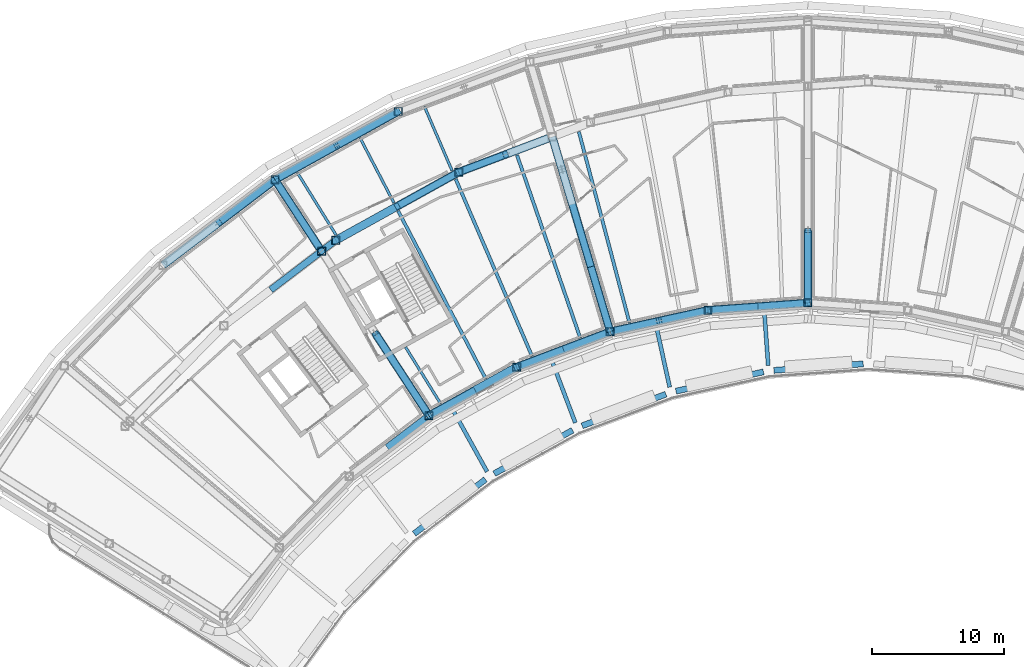
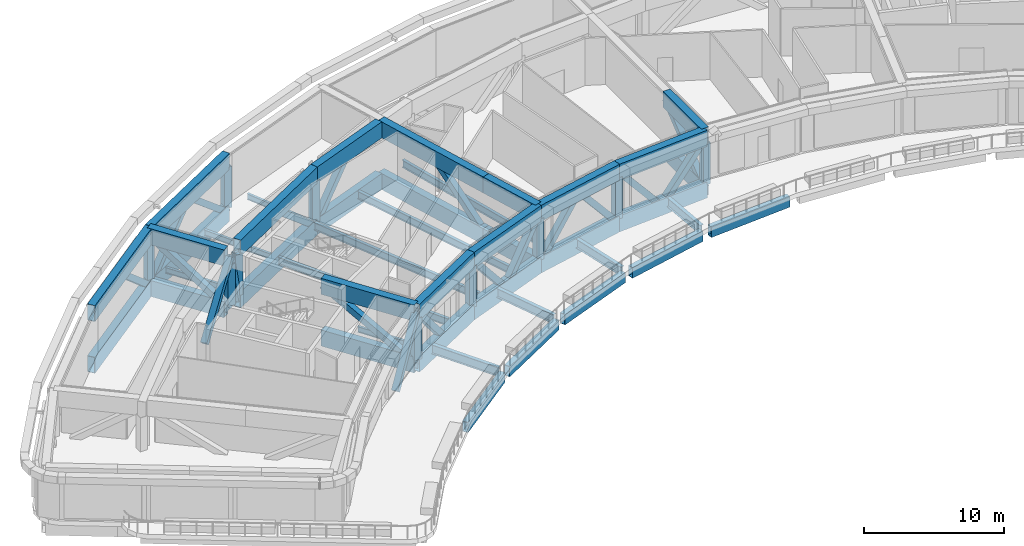
# One storey, part 2 of 24: 43 beams, 30 members.
"""IFC4 building model written with IfcOpenShell, lengths in metres."""

import ifcopenshell
import ifcopenshell.guid

model = None  # the IFC model being written
_history = None  # IfcOwnerHistory: only IFC2X3 demands one
_inside = {}  # id of a spatial element -> (the spatial element, [elements in it])
_under = {}  # id of a project, library or spatial element -> (it, [spatial elements below it])
_declared = {}  # id of a project -> (the project, [libraries it declares])
_typed = {}  # id of a type object -> (the type object, [elements of that type])
_made_of = {}  # id of a material, layer set ... -> (it, [elements and type objects made of it])


def new_model(schema):
    """Start an empty IFC model of exactly this schema.

    Asked for "IFC4X3", IfcOpenShell would pick the latest addendum, in which some entities
    have other attributes; the version numbers below select the first issue.
    IFC2X3 requires an IfcOwnerHistory on every rooted entity: one is made here for all.
    """
    global model, _history
    if schema == "IFC4X3":
        model = ifcopenshell.file(schema_version=(4, 3, 0, 0))
    else:
        model = ifcopenshell.file(schema=schema)
    _inside.clear()
    _under.clear()
    _declared.clear()
    _typed.clear()
    _made_of.clear()
    _history = None
    if model.schema == "IFC2X3":
        org = make("IfcOrganization", Name="unknown")
        user = make(
            "IfcPersonAndOrganization",
            ThePerson=make("IfcPerson", FamilyName="unknown"),
            TheOrganization=org,
        )
        app = make(
            "IfcApplication",
            ApplicationDeveloper=org,
            Version="unknown",
            ApplicationFullName="unknown",
            ApplicationIdentifier="unknown",
        )
        _history = make(
            "IfcOwnerHistory",
            OwningUser=user,
            OwningApplication=app,
            ChangeAction="ADDED",
            CreationDate=0,
        )
    return model


def make(cls, **values):
    """One entity of the class cls with the attributes given. An attribute that is None is left unset."""
    return model.create_entity(
        cls, **{name: value for name, value in values.items() if value is not None}
    )


def rooted(cls, **values):
    """An entity with a GlobalId (a new one), such as an element, a storey or a relation."""
    return make(cls, GlobalId=ifcopenshell.guid.new(), OwnerHistory=_history, **values)


def si_unit(unit_type, name, prefix=None):
    """IfcSIUnit, for example si_unit("LENGTHUNIT", "METRE", prefix="MILLI")."""
    return make("IfcSIUnit", UnitType=unit_type, Prefix=prefix, Name=name)


def assignment(units):
    """IfcUnitAssignment: the units of a project."""
    return None if units is None else make("IfcUnitAssignment", Units=units)


def point(xyz):
    """IfcCartesianPoint."""
    return None if xyz is None else make("IfcCartesianPoint", Coordinates=xyz)


def direction(xyz):
    """IfcDirection."""
    return None if xyz is None else make("IfcDirection", DirectionRatios=xyz)


def frame(location, z_axis=None, x_axis=None):
    """IfcAxis2Placement3D, a coordinate frame: its origin and axes. An axis left out is left unset."""
    return make(
        "IfcAxis2Placement3D",
        Location=point(location),
        Axis=direction(z_axis),
        RefDirection=direction(x_axis),
    )


def frame_2d(location, x_axis=None):
    """IfcAxis2Placement2D, a coordinate frame in the plane: its origin and x axis."""
    return make(
        "IfcAxis2Placement2D", Location=point(location), RefDirection=direction(x_axis)
    )


def origin():
    """The frame at (0, 0, 0) with its axes left unset."""
    return frame((0.0, 0.0, 0.0))


def origin_2d():
    """The frame at (0, 0) in the plane with its x axis left unset."""
    return frame_2d((0.0, 0.0))


def place(relative_to, where):
    """IfcLocalPlacement: puts the frame where relative to a parent placement (None: the world)."""
    return make(
        "IfcLocalPlacement", PlacementRelTo=relative_to, RelativePlacement=where
    )


def context(
    kind, dimensions, precision=None, world=None, true_north=None, identifier=None
):
    """IfcGeometricRepresentationContext, for example the 3D "Model" context."""
    return make(
        "IfcGeometricRepresentationContext",
        ContextIdentifier=identifier,
        ContextType=kind,
        CoordinateSpaceDimension=dimensions,
        Precision=precision,
        WorldCoordinateSystem=world,
        TrueNorth=true_north,
    )


def subcontext(parent, identifier, kind, view, scale=None):
    """IfcGeometricRepresentationSubContext, for example "Body" below "Model"."""
    return make(
        "IfcGeometricRepresentationSubContext",
        ContextIdentifier=identifier,
        ContextType=kind,
        ParentContext=parent,
        TargetScale=scale,
        TargetView=view,
    )


def project(units=None, contexts=None):
    """IfcProject with its units and contexts."""
    return rooted(
        "IfcProject",
        Name="project",
        RepresentationContexts=contexts,
        UnitsInContext=assignment(units),
    )


def spatial(cls, under=None, at=None, **own):
    """A site, building, storey or space (cls), placed at a placement, below another one or the project."""
    s = rooted(cls, ObjectPlacement=at, **own)
    if under is not None:
        _under.setdefault(under.id(), (under, []))[1].append(s)
    return s


def profile(cls, at=None, kind="AREA", **sizes):
    """A parametric profile (cls). Its sizes go by their IFC names, for example OverallWidth=200.0."""
    return make(cls, ProfileType=kind, Position=at, **sizes)


def hollow_rectangle(**sizes):
    """IfcRectangleHollowProfileDef."""
    return profile("IfcRectangleHollowProfileDef", **sizes)


def i_section(**sizes):
    """IfcIShapeProfileDef."""
    return profile("IfcIShapeProfileDef", **sizes)


def extrude(swept, where, along, depth):
    """IfcExtrudedAreaSolid: the profile swept, set in the frame where, extruded along a direction by depth."""
    return make(
        "IfcExtrudedAreaSolid",
        SweptArea=swept,
        Position=where,
        ExtrudedDirection=direction(along),
        Depth=depth,
    )


def shape(context_of_items, identifier, shape_type, items):
    """IfcShapeRepresentation: the items that make up one representation, for example the "Body"."""
    return make(
        "IfcShapeRepresentation",
        ContextOfItems=context_of_items,
        RepresentationIdentifier=identifier,
        RepresentationType=shape_type,
        Items=items,
    )


def material(Name=None, Category=None):
    """IfcMaterial."""
    return make("IfcMaterial", Name=Name, Category=Category)


def material_profile(
    of_material, cross_section, Name=None, Category=None, Priority=None
):
    """IfcMaterialProfile: a cross section and its material."""
    return make(
        "IfcMaterialProfile",
        Name=Name,
        Material=of_material,
        Profile=cross_section,
        Priority=Priority,
        Category=Category,
    )


def profile_set(profiles, Name=None, composite=None):
    """IfcMaterialProfileSet."""
    return make(
        "IfcMaterialProfileSet",
        Name=Name,
        MaterialProfiles=profiles,
        CompositeProfile=composite,
    )


def made_of(thing, what):
    """Note that an element or type object is made of a material, layer set ...; save() writes the relation."""
    if what is not None:
        _made_of.setdefault(what.id(), (what, []))[1].append(thing)
    return thing


def type_object(cls, material=None, **own):
    """A type object (cls), such as IfcWallType, which elements share."""
    return made_of(rooted(cls, **own), material)


def element(
    cls,
    number,
    at=None,
    inside=None,
    cuts=None,
    type_object=None,
    material=None,
    context=None,
    identifier="Body",
    shape_type=None,
    held_by="IfcProductDefinitionShape",
    body=None,
    shapes=None,
    **own,
):
    """One element of the class cls, such as IfcWall. Its Tag is "e" and its number.

    at: its placement. inside: the storey or other place that contains it. cuts: it is an
    opening in that element (IfcRelVoidsElement). A single representation is given by context,
    identifier, shape_type and body (its items); several are given by shapes. held_by: the class
    of the entity that holds the representations. save() writes the other relations.
    """
    e = rooted(cls, Tag="e%d" % number, ObjectPlacement=at, **own)
    if body is not None:
        shapes = [shape(context, identifier, shape_type, body)]
    if shapes is not None:
        e.Representation = make(held_by, Representations=shapes)
    if inside is not None:
        _inside.setdefault(inside.id(), (inside, []))[1].append(e)
    if cuts is not None:
        rooted(
            "IfcRelVoidsElement", RelatingBuildingElement=cuts, RelatedOpeningElement=e
        )
    if type_object is not None:
        _typed.setdefault(type_object.id(), (type_object, []))[1].append(e)
    return made_of(e, material)


def aggregate(whole, parts):
    """IfcRelAggregates: a whole, such as a stair, and the parts it consists of."""
    return rooted("IfcRelAggregates", RelatingObject=whole, RelatedObjects=parts)


def save(model, path):
    """Write the relations noted so far, then the file.

    IfcRelAggregates (storeys below a building ...), IfcRelContainedInSpatialStructure (elements
    in a storey), IfcRelDefinesByType, IfcRelAssociatesMaterial and IfcRelDeclares: one each for
    every whole, place, type object, material and project.
    """
    for whole, parts in _under.values():
        aggregate(whole, parts)
    for where, things in _inside.values():
        rooted(
            "IfcRelContainedInSpatialStructure",
            RelatedElements=things,
            RelatingStructure=where,
        )
    for kind, things in _typed.values():
        rooted("IfcRelDefinesByType", RelatedObjects=things, RelatingType=kind)
    for what, things in _made_of.values():
        rooted("IfcRelAssociatesMaterial", RelatedObjects=things, RelatingMaterial=what)
    for by, libraries in _declared.values():
        rooted("IfcRelDeclares", RelatingContext=by, RelatedDefinitions=libraries)
    model.write(path)


model = new_model("IFC4")

# Units and contexts
model_context = context("Model", 3, precision=1e-05, world=origin(), true_north=direction((0.0, 1.0)))
body_context = subcontext(model_context, "Body", "Model", "MODEL_VIEW")
ifc_project = project(units=[si_unit("LENGTHUNIT", "METRE"), si_unit("AREAUNIT", "SQUARE_METRE"), si_unit("VOLUMEUNIT", "CUBIC_METRE"), si_unit("PLANEANGLEUNIT", "RADIAN"), si_unit("MASSUNIT", "GRAM", prefix="KILO")], contexts=[model_context])

# Site, building, storey
site_placement = place(None, origin())
site = spatial("IfcSite", under=ifc_project, at=site_placement, CompositionType="ELEMENT")
building_placement = place(site_placement, origin())
building = spatial("IfcBuilding", under=site, at=building_placement, Name="Tuul Gate Civic Tower", CompositionType="ELEMENT")
storey_placement = place(building_placement, frame((0.0, 0.0, 315.199951171875)))
storey = spatial("IfcBuildingStorey", under=building, at=storey_placement, Name="Plant and refuge floor 7", CompositionType="ELEMENT", Elevation=315.199951171875)

# Beams
ifc_material_1 = material(Name="Steel S355", Category="steel")
ifc_material_profile_1 = material_profile(ifc_material_1, i_section(OverallWidth=0.199951171875, OverallDepth=0.5, WebThickness=0.010009765625, FlangeThickness=0.01611328125, at=origin_2d()), Name="PG500x200x10x16")
ifc_profile_set_1 = profile_set([ifc_material_profile_1], Name="Steel S355")
beam_type_1 = type_object("IfcBeamType", Name="STR-FLOOR BEAM-PG500x200x10x16", PredefinedType="BEAM", material=ifc_profile_set_1)
beam_1_placement = place(storey_placement, frame((-24.785888671875, 2.50244140625, -0.64990234375), z_axis=(-0.395923277971, 0.918283593429, 0.0), x_axis=(-0.918283593429, -0.395923277971, 0.0)))
element("IfcBeam", 1, at=beam_1_placement, inside=storey, type_object=beam_type_1, Name="Floor beam", PredefinedType="BEAM", context=body_context, shape_type="SweptSolid", body=[
    extrude(i_section(OverallWidth=0.199951171875, OverallDepth=0.5, WebThickness=0.010009765625, FlangeThickness=0.01611328125, at=origin_2d()), origin(), (0.0, 0.0, 1.0), 5.290771484375),
])
beam_2_placement = place(storey_placement, frame((-29.194091796875, 0.05908203125, -0.64990234375), z_axis=(-0.462752405696, 0.886487569581, 0.0), x_axis=(-0.886487569581, -0.462752405696, 0.0)))
element("IfcBeam", 2, at=beam_2_placement, inside=storey, type_object=beam_type_1, Name="Floor beam", PredefinedType="BEAM", context=body_context, shape_type="SweptSolid", body=[
    extrude(i_section(OverallWidth=0.199951171875, OverallDepth=0.5, WebThickness=0.010009765625, FlangeThickness=0.01611328125, at=origin_2d()), origin(), (0.0, 0.0, 1.0), 5.55029296875),
])
beam_3_placement = place(storey_placement, frame((-25.644287109375, -15.18212890625, -0.64990234375), z_axis=(-0.52700728399, 0.849860766609, 0.0), x_axis=(-0.849860766609, -0.52700728399, 0.0)))
element("IfcBeam", 3, at=beam_3_placement, inside=storey, type_object=beam_type_1, Name="Floor beam", PredefinedType="BEAM", context=body_context, shape_type="SweptSolid", body=[
    extrude(i_section(OverallWidth=0.199951171875, OverallDepth=0.5, WebThickness=0.010009765625, FlangeThickness=0.01611328125, at=origin_2d()), origin(), (0.0, 0.0, 1.0), 5.059814453125),
])
beam_4_placement = place(storey_placement, frame((-33.586181640625, -2.375244140625, -0.64990234375), z_axis=(-0.52699300541, 0.849869620735, 0.0), x_axis=(-0.849869620735, -0.52699300541, 0.0)))
element("IfcBeam", 4, at=beam_4_placement, inside=storey, type_object=beam_type_1, Name="Floor beam", PredefinedType="BEAM", context=body_context, shape_type="SweptSolid", body=[
    extrude(i_section(OverallWidth=0.199951171875, OverallDepth=0.5, WebThickness=0.010009765625, FlangeThickness=0.01611328125, at=origin_2d()), origin(), (0.0, 0.0, 1.0), 5.5546875),
])
ifc_material_2 = material(Name="Steel S355", Category="steel")
ifc_material_profile_2 = material_profile(ifc_material_2, i_section(OverallWidth=0.25, OverallDepth=0.64990234375, WebThickness=0.011962890625, FlangeThickness=0.02001953125, at=origin_2d()), Name="PG650x250x12x20")
ifc_profile_set_2 = profile_set([ifc_material_profile_2], Name="Steel S355")
beam_type_2 = type_object("IfcBeamType", Name="STR-FLOOR BEAM-PG650x250x12x20", PredefinedType="BEAM", material=ifc_profile_set_2)
beam_5_placement = place(storey_placement, frame((-11.33349609375, -9.030029296875, -0.724853515625), z_axis=(-0.256141110545, 0.96663940096, 0.0), x_axis=(-0.96663940096, -0.256141110545, 0.0)))
element("IfcBeam", 5, at=beam_5_placement, inside=storey, type_object=beam_type_2, Name="Floor beam", PredefinedType="BEAM", context=body_context, shape_type="SweptSolid", body=[
    extrude(i_section(OverallWidth=0.25, OverallDepth=0.64990234375, WebThickness=0.011962890625, FlangeThickness=0.02001953125, at=origin_2d()), origin(), (0.0, 0.0, 1.0), 14.9833984375),
])
beam_6_placement = place(storey_placement, frame((-15.062255859375, -10.19384765625, -0.724853515625), z_axis=(-0.326928924107, 0.9450489292, 0.0), x_axis=(-0.9450489292, -0.326928924107, 0.0)))
element("IfcBeam", 6, at=beam_6_placement, inside=storey, type_object=beam_type_2, Name="Floor beam", PredefinedType="BEAM", context=body_context, shape_type="SweptSolid", body=[
    extrude(i_section(OverallWidth=0.25, OverallDepth=0.64990234375, WebThickness=0.011962890625, FlangeThickness=0.02001953125, at=origin_2d()), origin(), (0.0, 0.0, 1.0), 14.6806640625),
])
beam_7_placement = place(storey_placement, frame((-18.716064453125, -11.575927734375, -0.724853515625), z_axis=(-0.395912584473, 0.918288203918, 0.0), x_axis=(-0.918288203918, -0.395912584473, 0.0)))
element("IfcBeam", 7, at=beam_7_placement, inside=storey, type_object=beam_type_2, Name="Floor beam", PredefinedType="BEAM", context=body_context, shape_type="SweptSolid", body=[
    extrude(i_section(OverallWidth=0.25, OverallDepth=0.64990234375, WebThickness=0.011962890625, FlangeThickness=0.02001953125, at=origin_2d()), origin(), (0.0, 0.0, 1.0), 14.627685546875),
])
beam_8_placement = place(storey_placement, frame((-22.22705078125, -13.288330078125, -0.724853515625), z_axis=(-0.462736868043, 0.886495680167, 0.0), x_axis=(-0.886495680167, -0.462736868043, 0.0)))
element("IfcBeam", 8, at=beam_8_placement, inside=storey, type_object=beam_type_2, Name="Floor beam", PredefinedType="BEAM", context=body_context, shape_type="SweptSolid", body=[
    extrude(i_section(OverallWidth=0.25, OverallDepth=0.64990234375, WebThickness=0.011962890625, FlangeThickness=0.02001953125, at=origin_2d()), origin(), (0.0, 0.0, 1.0), 14.35595703125),
])
ifc_material_3 = material(Name="Steel S355", Category="steel")
ifc_material_profile_3 = material_profile(ifc_material_3, i_section(OverallWidth=0.300048828125, OverallDepth=0.800048828125, WebThickness=0.013916015625, FlangeThickness=0.02490234375, at=origin_2d()), Name="PG800x300x14x25")
ifc_profile_set_3 = profile_set([ifc_material_profile_3], Name="Steel S355")
beam_type_3 = type_object("IfcBeamType", Name="STR-FLOOR BEAM-PG800x300x14x25", PredefinedType="BEAM", material=ifc_profile_set_3)
beam_9_placement = place(storey_placement, frame((-22.1318359375, -20.322021484375, -0.800048828125), z_axis=(-0.484775925534, 0.874638383575, 0.0), x_axis=(-0.874638383575, -0.484775925534, 0.0)))
element("IfcBeam", 9, at=beam_9_placement, inside=storey, type_object=beam_type_3, Name="Terrace beam", PredefinedType="BEAM", context=body_context, shape_type="SweptSolid", body=[
    extrude(i_section(OverallWidth=0.300048828125, OverallDepth=0.800048828125, WebThickness=0.013916015625, FlangeThickness=0.02490234375, at=origin_2d()), origin(), (0.0, 0.0, 1.0), 5.54833984375),
])
beam_10_placement = place(storey_placement, frame((-15.439453125, -16.617919921875, -0.800048828125), z_axis=(-0.353794885492, 0.935323034571, 0.0), x_axis=(-0.935323034571, -0.353794885492, 0.0)))
element("IfcBeam", 10, at=beam_10_placement, inside=storey, type_object=beam_type_3, Name="Terrace beam", PredefinedType="BEAM", context=body_context, shape_type="SweptSolid", body=[
    extrude(i_section(OverallWidth=0.300048828125, OverallDepth=0.800048828125, WebThickness=0.013916015625, FlangeThickness=0.02490234375, at=origin_2d()), origin(), (0.0, 0.0, 1.0), 5.22509765625),
])
beam_11_placement = place(storey_placement, frame((-8.283935546875, -13.916259765625, -0.800048828125), z_axis=(-0.215123016724, 0.976586958584, 0.0), x_axis=(-0.976586958584, -0.215123016724, 0.0)))
element("IfcBeam", 11, at=beam_11_placement, inside=storey, type_object=beam_type_3, Name="Terrace beam", PredefinedType="BEAM", context=body_context, shape_type="SweptSolid", body=[
    extrude(i_section(OverallWidth=0.300048828125, OverallDepth=0.800048828125, WebThickness=0.013916015625, FlangeThickness=0.02490234375, at=origin_2d()), origin(), (0.0, 0.0, 1.0), 4.77783203125),
])
beam_12_placement = place(storey_placement, frame((-0.81298828125, -12.27392578125, -0.800048828125), z_axis=(-0.072325185756, 0.997381104446, 0.0), x_axis=(-0.997381104446, -0.072325185756, 0.0)))
element("IfcBeam", 12, at=beam_12_placement, inside=storey, type_object=beam_type_3, Name="Terrace beam", PredefinedType="BEAM", context=body_context, shape_type="SweptSolid", body=[
    extrude(i_section(OverallWidth=0.300048828125, OverallDepth=0.800048828125, WebThickness=0.013916015625, FlangeThickness=0.02490234375, at=origin_2d()), origin(), (0.0, 0.0, 1.0), 4.216064453125),
])
ifc_material_4 = material(Name="Steel S355", Category="steel")
ifc_material_profile_4 = material_profile(ifc_material_4, hollow_rectangle(XDim=0.449951171875, YDim=0.89990234375, WallThickness=0.02490234375, at=origin_2d()), Name="BOX900x450x25")
ifc_profile_set_4 = profile_set([ifc_material_profile_4], Name="Steel S355")
beam_type_4 = type_object("IfcBeamType", Name="STR-SPANDREL BEAM-BOX900x450x25", PredefinedType="BEAM", material=ifc_profile_set_4)
beam_13_placement = place(storey_placement, frame((-27.66064453125, -25.02880859375, -0.849853515625), z_axis=(0.795648671747, 0.605758360361, 0.0), x_axis=(-0.605758360361, 0.795648671747, 0.0)))
element("IfcBeam", 13, at=beam_13_placement, inside=storey, type_object=beam_type_4, Name="Terrace edge beam", PredefinedType="BEAM", context=body_context, shape_type="SweptSolid", body=[
    extrude(hollow_rectangle(XDim=0.449951171875, YDim=0.89990234375, WallThickness=0.02490234375, at=origin_2d()), origin(), (0.0, 0.0, 1.0), 6.792236328125),
])
beam_14_placement = place(storey_placement, frame((-21.588134765625, -20.47802734375, -0.849853515625), z_axis=(0.87464856826, 0.484757549751, 0.0), x_axis=(-0.484757549751, 0.87464856826, 0.0)))
element("IfcBeam", 14, at=beam_14_placement, inside=storey, type_object=beam_type_4, Name="Terrace edge beam", PredefinedType="BEAM", context=body_context, shape_type="SweptSolid", body=[
    extrude(hollow_rectangle(XDim=0.449951171875, YDim=0.89990234375, WallThickness=0.02490234375, at=origin_2d()), origin(), (0.0, 0.0, 1.0), 6.79150390625),
])
beam_15_placement = place(storey_placement, frame((-14.923828125, -16.8505859375, -0.849853515625), z_axis=(0.935348956807, 0.35372634762, 0.0), x_axis=(-0.35372634762, 0.935348956807, 0.0)))
element("IfcBeam", 15, at=beam_15_placement, inside=storey, type_object=beam_type_4, Name="Terrace edge beam", PredefinedType="BEAM", context=body_context, shape_type="SweptSolid", body=[
    extrude(hollow_rectangle(XDim=0.449951171875, YDim=0.89990234375, WallThickness=0.02490234375, at=origin_2d()), origin(), (0.0, 0.0, 1.0), 6.790771484375),
])
for number, where, z_axis, x_axis, name in (
    (16, (-7.807373046875, -14.220947265625, -0.849853515625), (0.976561119915, 0.215240282172, 0.0), (-0.215240282172, 0.976561119915, 0.0), "Terrace edge beam"),
    (17, (-0.385009765625, -12.64404296875, -0.849853515625), (0.997381302407, 0.072322455777, 0.0), (-0.072322455777, 0.997381302407, 0.0), "Terrace edge beam"),
):
    element("IfcBeam", number, at=place(storey_placement, frame(where, z_axis=z_axis, x_axis=x_axis)), inside=storey, type_object=beam_type_4, Name=name, PredefinedType="BEAM", context=body_context, shape_type="SweptSolid", body=[
        extrude(hollow_rectangle(XDim=0.449951171875, YDim=0.89990234375, WallThickness=0.02490234375, at=origin_2d()), origin(), (0.0, 0.0, 1.0), 6.7919921875),
    ])
ifc_material_5 = material(Name="Steel S460", Category="steel")
ifc_material_profile_5 = material_profile(ifc_material_5, hollow_rectangle(XDim=0.60009765625, YDim=1.39990234375, WallThickness=0.031982421875, at=origin_2d()), Name="BOX1400x600x32")
ifc_profile_set_5 = profile_set([ifc_material_profile_5], Name="Steel S460")
beam_type_5 = type_object("IfcBeamType", Name="STR-TRANSFER TRUSS CHORD-BOX1400x600x32", PredefinedType="BEAM", material=ifc_profile_set_5)
for number, where, z_axis, x_axis, name in (
    (18, (2.19189453125, -2.052490234375, -1.099853515625), (0.0, -1.0, 0.0), (1.0, 0.0, 0.0), "Radial truss bottom chord"),
    (19, (2.19189453125, -2.052490234375, 3.400146484375), (0.0, -1.0, 0.0), (1.0, 0.0, 0.0), "Radial truss top chord"),
):
    element("IfcBeam", number, at=place(storey_placement, frame(where, z_axis=z_axis, x_axis=x_axis)), inside=storey, type_object=beam_type_5, Name=name, PredefinedType="BEAM", context=body_context, shape_type="SweptSolid", body=[
        extrude(hollow_rectangle(XDim=0.60009765625, YDim=1.39990234375, WallThickness=0.031982421875, at=origin_2d()), origin(), (0.0, 0.0, 1.0), 5.4755859375),
    ])
beam_16_placement = place(storey_placement, frame((-17.190673828125, 5.064453125, -1.099853515625), z_axis=(0.285228652891, -0.958459501268, 0.0), x_axis=(0.958459501268, 0.285228652891, 0.0)))
element("IfcBeam", 20, at=beam_16_placement, inside=storey, type_object=beam_type_5, Name="Radial truss bottom chord", PredefinedType="BEAM", context=body_context, shape_type="SweptSolid", body=[
    extrude(hollow_rectangle(XDim=0.60009765625, YDim=1.39990234375, WallThickness=0.031982421875, at=origin_2d()), origin(), (0.0, 0.0, 1.0), 10.276611328125),
])
beam_17_placement = place(storey_placement, frame((-14.259521484375, -4.78515625, -1.099853515625), z_axis=(0.285228652891, -0.958459501268, 0.0), x_axis=(0.958459501268, 0.285228652891, 0.0)))
element("IfcBeam", 21, at=beam_17_placement, inside=storey, type_object=beam_type_5, Name="Radial truss bottom chord", PredefinedType="BEAM", context=body_context, shape_type="SweptSolid", body=[
    extrude(hollow_rectangle(XDim=0.60009765625, YDim=1.39990234375, WallThickness=0.031982421875, at=origin_2d()), origin(), (0.0, 0.0, 1.0), 5.13818359375),
])
beam_18_placement = place(storey_placement, frame((-17.190673828125, 5.064453125, 3.400146484375), z_axis=(0.285228652891, -0.958459501268, 0.0), x_axis=(0.958459501268, 0.285228652891, 0.0)))
element("IfcBeam", 22, at=beam_18_placement, inside=storey, type_object=beam_type_5, Name="Radial truss top chord", PredefinedType="BEAM", context=body_context, shape_type="SweptSolid", body=[
    extrude(hollow_rectangle(XDim=0.60009765625, YDim=1.39990234375, WallThickness=0.031982421875, at=origin_2d()), origin(), (0.0, 0.0, 1.0), 10.276611328125),
])
beam_19_placement = place(storey_placement, frame((-14.259521484375, -4.78515625, 3.400146484375), z_axis=(0.285228652891, -0.958459501268, 0.0), x_axis=(0.958459501268, 0.285228652891, 0.0)))
element("IfcBeam", 23, at=beam_19_placement, inside=storey, type_object=beam_type_5, Name="Radial truss top chord", PredefinedType="BEAM", context=body_context, shape_type="SweptSolid", body=[
    extrude(hollow_rectangle(XDim=0.60009765625, YDim=1.39990234375, WallThickness=0.031982421875, at=origin_2d()), origin(), (0.0, 0.0, 1.0), 5.13818359375),
])
beam_20_placement = place(storey_placement, frame((-38.2099609375, 1.804931640625, -1.099853515625), z_axis=(0.546704369384, -0.837325702757, 0.0), x_axis=(0.837325702757, 0.546704369384, 0.0)))
element("IfcBeam", 24, at=beam_20_placement, inside=storey, type_object=beam_type_5, Name="Radial truss bottom chord", PredefinedType="BEAM", context=body_context, shape_type="SweptSolid", body=[
    extrude(hollow_rectangle(XDim=0.60009765625, YDim=1.39990234375, WallThickness=0.031982421875, at=origin_2d()), origin(), (0.0, 0.0, 1.0), 6.15673828125),
])
beam_21_placement = place(storey_placement, frame((-30.607177734375, -9.839111328125, -1.099853515625), z_axis=(0.546717622498, -0.83731704942, 0.0), x_axis=(0.83731704942, 0.546717622498, 0.0)))
element("IfcBeam", 25, at=beam_21_placement, inside=storey, type_object=beam_type_5, Name="Radial truss bottom chord", PredefinedType="BEAM", context=body_context, shape_type="SweptSolid", body=[
    extrude(hollow_rectangle(XDim=0.60009765625, YDim=1.39990234375, WallThickness=0.031982421875, at=origin_2d()), origin(), (0.0, 0.0, 1.0), 7.448486328125),
])
beam_22_placement = place(storey_placement, frame((-38.2099609375, 1.804931640625, 3.400146484375), z_axis=(0.546704369384, -0.837325702757, 0.0), x_axis=(0.837325702757, 0.546704369384, 0.0)))
element("IfcBeam", 26, at=beam_22_placement, inside=storey, type_object=beam_type_5, Name="Radial truss top chord", PredefinedType="BEAM", context=body_context, shape_type="SweptSolid", body=[
    extrude(hollow_rectangle(XDim=0.60009765625, YDim=1.39990234375, WallThickness=0.031982421875, at=origin_2d()), origin(), (0.0, 0.0, 1.0), 6.15673828125),
])
beam_23_placement = place(storey_placement, frame((-30.607177734375, -9.839111328125, 3.400146484375), z_axis=(0.546717622498, -0.83731704942, 0.0), x_axis=(0.83731704942, 0.546717622498, 0.0)))
element("IfcBeam", 27, at=beam_23_placement, inside=storey, type_object=beam_type_5, Name="Radial truss top chord", PredefinedType="BEAM", context=body_context, shape_type="SweptSolid", body=[
    extrude(hollow_rectangle(XDim=0.60009765625, YDim=1.39990234375, WallThickness=0.031982421875, at=origin_2d()), origin(), (0.0, 0.0, 1.0), 7.448486328125),
])
for number, where, z_axis, x_axis, name in (
    (28, (-17.471923828125, 4.9580078125, -1.099853515625), (-0.935353194144, -0.353715142742, 0.0), (0.353715142742, -0.935353194144, 0.0), "Belt truss bottom chord"),
    (29, (-17.471923828125, 4.9580078125, 3.400146484375), (-0.935353194144, -0.353715142742, 0.0), (0.353715142742, -0.935353194144, 0.0), "Belt truss top chord"),
):
    element("IfcBeam", number, at=place(storey_placement, frame(where, z_axis=z_axis, x_axis=x_axis)), inside=storey, type_object=beam_type_5, Name=name, PredefinedType="BEAM", context=body_context, shape_type="SweptSolid", body=[
        extrude(hollow_rectangle(XDim=0.60009765625, YDim=1.39990234375, WallThickness=0.031982421875, at=origin_2d()), origin(), (0.0, 0.0, 1.0), 7.274169921875),
    ])
for number, where, z_axis, x_axis, name in (
    (30, (-38.2099609375, 1.804931640625, -1.099853515625), (-0.795666270383, -0.605735244289, 0.0), (0.605735244289, -0.795666270383, 0.0), "Belt truss bottom chord"),
    (31, (-38.2099609375, 1.804931640625, 3.400146484375), (-0.795666270383, -0.605735244289, 0.0), (0.605735244289, -0.795666270383, 0.0), "Belt truss top chord"),
):
    element("IfcBeam", number, at=place(storey_placement, frame(where, z_axis=z_axis, x_axis=x_axis)), inside=storey, type_object=beam_type_5, Name=name, PredefinedType="BEAM", context=body_context, shape_type="SweptSolid", body=[
        extrude(hollow_rectangle(XDim=0.60009765625, YDim=1.39990234375, WallThickness=0.031982421875, at=origin_2d()), origin(), (0.0, 0.0, 1.0), 10.677978515625),
    ])
for number, where, z_axis, x_axis, name in (
    (32, (-28.8720703125, 6.98193359375, -1.099853515625), (-0.874582982831, -0.484875866736, 0.0), (0.484875866736, -0.874582982831, 0.0), "Belt truss bottom chord"),
    (33, (-28.8720703125, 6.98193359375, 3.400146484375), (-0.874582982831, -0.484875866736, 0.0), (0.484875866736, -0.874582982831, 0.0), "Belt truss top chord"),
):
    element("IfcBeam", number, at=place(storey_placement, frame(where, z_axis=z_axis, x_axis=x_axis)), inside=storey, type_object=beam_type_5, Name=name, PredefinedType="BEAM", context=body_context, shape_type="SweptSolid", body=[
        extrude(hollow_rectangle(XDim=0.60009765625, YDim=1.39990234375, WallThickness=0.031982421875, at=origin_2d()), origin(), (0.0, 0.0, 1.0), 10.677001953125),
    ])
for number, where, z_axis, x_axis, name in (
    (34, (-24.27587890625, 2.385009765625, -1.099853515625), (-0.874627142999, -0.484796205358, 0.0), (0.484796205358, -0.874627142999, 0.0), "Belt truss bottom chord"),
    (35, (-24.27587890625, 2.385009765625, 3.400146484375), (-0.874627142999, -0.484796205358, 0.0), (0.484796205358, -0.874627142999, 0.0), "Belt truss top chord"),
):
    element("IfcBeam", number, at=place(storey_placement, frame(where, z_axis=z_axis, x_axis=x_axis)), inside=storey, type_object=beam_type_5, Name=name, PredefinedType="BEAM", context=body_context, shape_type="SweptSolid", body=[
        extrude(hollow_rectangle(XDim=0.60009765625, YDim=1.39990234375, WallThickness=0.031982421875, at=origin_2d()), origin(), (0.0, 0.0, 1.0), 10.6767578125),
    ])
for number, where, z_axis, x_axis, name in (
    (36, (-19.89501953125, -12.39599609375, -1.099853515625), (0.935323649079, 0.353793260922, 0.0), (-0.353793260922, 0.935323649079, 0.0), "Belt truss bottom chord"),
    (37, (-19.89501953125, -12.39599609375, 3.400146484375), (0.935323649079, 0.353793260922, 0.0), (-0.353793260922, 0.935323649079, 0.0), "Belt truss top chord"),
):
    element("IfcBeam", number, at=place(storey_placement, frame(where, z_axis=z_axis, x_axis=x_axis)), inside=storey, type_object=beam_type_5, Name=name, PredefinedType="BEAM", context=body_context, shape_type="SweptSolid", body=[
        extrude(hollow_rectangle(XDim=0.60009765625, YDim=1.39990234375, WallThickness=0.031982421875, at=origin_2d()), origin(), (0.0, 0.0, 1.0), 7.592041015625),
    ])
for number, where, z_axis, x_axis, name in (
    (38, (-5.3798828125, -8.076904296875, -1.099853515625), (0.997383384715, 0.072293733438, 0.0), (-0.072293733438, 0.997383384715, 0.0), "Belt truss bottom chord"),
    (39, (-5.3798828125, -8.076904296875, 3.400146484375), (0.997383384715, 0.072293733438, 0.0), (-0.072293733438, 0.997383384715, 0.0), "Belt truss top chord"),
):
    element("IfcBeam", number, at=place(storey_placement, frame(where, z_axis=z_axis, x_axis=x_axis)), inside=storey, type_object=beam_type_5, Name=name, PredefinedType="BEAM", context=body_context, shape_type="SweptSolid", body=[
        extrude(hollow_rectangle(XDim=0.60009765625, YDim=1.39990234375, WallThickness=0.031982421875, at=origin_2d()), origin(), (0.0, 0.0, 1.0), 7.591552734375),
    ])
for number, where, z_axis, x_axis, name in (
    (40, (-12.7939453125, -9.7099609375, -1.099853515625), (0.976590179554, 0.215108394067, 0.0), (-0.215108394067, 0.976590179554, 0.0), "Belt truss bottom chord"),
    (41, (-12.7939453125, -9.7099609375, 3.400146484375), (0.976590179554, 0.215108394067, 0.0), (-0.215108394067, 0.976590179554, 0.0), "Belt truss top chord"),
):
    element("IfcBeam", number, at=place(storey_placement, frame(where, z_axis=z_axis, x_axis=x_axis)), inside=storey, type_object=beam_type_5, Name=name, PredefinedType="BEAM", context=body_context, shape_type="SweptSolid", body=[
        extrude(hollow_rectangle(XDim=0.60009765625, YDim=1.39990234375, WallThickness=0.031982421875, at=origin_2d()), origin(), (0.0, 0.0, 1.0), 7.591796875),
    ])
for number, where, z_axis, x_axis, name in (
    (42, (-26.534912109375, -16.075927734375, -1.099853515625), (0.874654386478, 0.484747051785, 0.0), (-0.484747051785, 0.874654386478, 0.0), "Belt truss bottom chord"),
    (43, (-26.534912109375, -16.075927734375, 3.400146484375), (0.874654386478, 0.484747051785, 0.0), (-0.484747051785, 0.874654386478, 0.0), "Belt truss top chord"),
):
    element("IfcBeam", number, at=place(storey_placement, frame(where, z_axis=z_axis, x_axis=x_axis)), inside=storey, type_object=beam_type_5, Name=name, PredefinedType="BEAM", context=body_context, shape_type="SweptSolid", body=[
        extrude(hollow_rectangle(XDim=0.60009765625, YDim=1.39990234375, WallThickness=0.031982421875, at=origin_2d()), origin(), (0.0, 0.0, 1.0), 7.591552734375),
    ])

# Members
ifc_material_6 = material(Name="Steel S355", Category="steel")
ifc_material_profile_6 = material_profile(ifc_material_6, hollow_rectangle(XDim=0.5, YDim=0.5, WallThickness=0.02001953125, at=origin_2d()), Name="BOX500x500x20")
ifc_profile_set_6 = profile_set([ifc_material_profile_6], Name="Steel S355")
member_type_1 = type_object("IfcMemberType", Name="STR-TRANSFER TRUSS DIAGONAL-BOX500x500x20", PredefinedType="BRACE", material=ifc_profile_set_6)
member_1_placement = place(storey_placement, frame((2.19189453125, -7.531982421875, -1.10302734375), z_axis=(0.0, 0.772579210484, 0.634918391234), x_axis=(-1.0, 0.0, 0.0)))
element("IfcMember", 44, at=member_1_placement, inside=storey, type_object=member_type_1, Name="Radial truss web", PredefinedType="BRACE", context=body_context, shape_type="SweptSolid", body=[
    extrude(hollow_rectangle(XDim=0.5, YDim=0.5, WallThickness=0.02001953125, at=origin_2d()), origin(), (0.0, 0.0, 1.0), 7.097412109375),
])
member_2_placement = place(storey_placement, frame((-14.258544921875, -4.788818359375, -1.103271484375), z_axis=(-0.214549005027, 0.721028855525, 0.658852118417), x_axis=(-0.958467674265, -0.285201187565, 0.0)))
element("IfcMember", 45, at=member_2_placement, inside=storey, type_object=member_type_1, Name="Radial truss web", PredefinedType="BRACE", context=body_context, shape_type="SweptSolid", body=[
    extrude(hollow_rectangle(XDim=0.5, YDim=0.5, WallThickness=0.02001953125, at=origin_2d()), origin(), (0.0, 0.0, 1.0), 6.840087890625),
])
member_3_placement = place(storey_placement, frame((-14.2607421875, -4.781494140625, -1.103271484375), z_axis=(0.214577532147, -0.721040469798, 0.658830117414), x_axis=(0.958458563799, 0.285231803067, 0.0)))
element("IfcMember", 46, at=member_3_placement, inside=storey, type_object=member_type_1, Name="Radial truss web", PredefinedType="BRACE", context=body_context, shape_type="SweptSolid", body=[
    extrude(hollow_rectangle(XDim=0.5, YDim=0.5, WallThickness=0.02001953125, at=origin_2d()), origin(), (0.0, 0.0, 1.0), 6.84033203125),
])
member_4_placement = place(storey_placement, frame((-34.67724609375, -3.605712890625, -1.102783203125), z_axis=(-0.448542904888, 0.686987185496, 0.571714849762), x_axis=(-0.837327297296, -0.546701927198, 0.0)))
element("IfcMember", 47, at=member_4_placement, inside=storey, type_object=member_type_1, Name="Radial truss web", PredefinedType="BRACE", context=body_context, shape_type="SweptSolid", body=[
    extrude(hollow_rectangle(XDim=0.5, YDim=0.5, WallThickness=0.02001953125, at=origin_2d()), origin(), (0.0, 0.0, 1.0), 7.880859375),
])
member_5_placement = place(storey_placement, frame((-26.53271484375, -16.07958984375, -1.1025390625), z_axis=(-0.467940591429, 0.716692530475, 0.517091306883), x_axis=(-0.837325864577, -0.546704121542, 0.0)))
element("IfcMember", 48, at=member_5_placement, inside=storey, type_object=member_type_1, Name="Radial truss web", PredefinedType="BRACE", context=body_context, shape_type="SweptSolid", body=[
    extrude(hollow_rectangle(XDim=0.5, YDim=0.5, WallThickness=0.02001953125, at=origin_2d()), origin(), (0.0, 0.0, 1.0), 8.71240234375),
])
member_6_placement = place(storey_placement, frame((-24.279052734375, 2.3837890625, -1.103759765625), z_axis=(0.60233238899, 0.227780761026, 0.765056611029), x_axis=(-0.353717140562, 0.935352438641, 0.0)))
element("IfcMember", 49, at=member_6_placement, inside=storey, type_object=member_type_1, Name="Belt truss web", PredefinedType="BRACE", context=body_context, shape_type="SweptSolid", body=[
    extrude(hollow_rectangle(XDim=0.5, YDim=0.5, WallThickness=0.02001953125, at=origin_2d()), origin(), (0.0, 0.0, 1.0), 5.891845703125),
])
member_7_placement = place(storey_placement, frame((-38.20703125, 1.807373046875, -1.103271484375), z_axis=(-0.608354815506, -0.463179234533, 0.644491594319), x_axis=(0.605770771616, -0.795639222421, 0.0)))
element("IfcMember", 50, at=member_7_placement, inside=storey, type_object=member_type_1, Name="Belt truss web", PredefinedType="BRACE", context=body_context, shape_type="SweptSolid", body=[
    extrude(hollow_rectangle(XDim=0.5, YDim=0.5, WallThickness=0.02001953125, at=origin_2d()), origin(), (0.0, 0.0, 1.0), 6.992431640625),
])
member_8_placement = place(storey_placement, frame((-33.61279296875, -2.7900390625, -1.104736328125), z_axis=(-0.226964867925, -0.1727921834, 0.958451777652), x_axis=(0.605747217095, -0.795657155427, 0.0)))
element("IfcMember", 51, at=member_8_placement, inside=storey, type_object=member_type_1, Name="Belt truss web", PredefinedType="BRACE", context=body_context, shape_type="SweptSolid", body=[
    extrude(hollow_rectangle(XDim=0.5, YDim=0.5, WallThickness=0.02001953125, at=origin_2d()), origin(), (0.0, 0.0, 1.0), 4.705078125),
])
member_9_placement = place(storey_placement, frame((-38.397216796875, -6.432861328125, -1.103515625), z_axis=(0.572877386427, 0.436161175506, 0.693955999399), x_axis=(-0.605764762583, 0.795643797445, 0.0)))
element("IfcMember", 52, at=member_9_placement, inside=storey, type_object=member_type_1, Name="Belt truss web", PredefinedType="BRACE", context=body_context, shape_type="SweptSolid", body=[
    extrude(hollow_rectangle(XDim=0.5, YDim=0.5, WallThickness=0.02001953125, at=origin_2d()), origin(), (0.0, 0.0, 1.0), 6.494873046875),
])
for number, where, z_axis, x_axis, name in (
    (53, (-28.86865234375, 6.98388671875, -1.103271484375), (-0.668704441267, -0.370734323171, 0.644507898984), (0.484875048481, -0.874583436477, 0.0), "Belt truss web"),
    (54, (-38.21337890625, 1.80322265625, -1.103271484375), (0.668713097024, 0.370704205885, 0.644516241539), (-0.484840118043, 0.87460280124, 0.0), "Belt truss web"),
):
    element("IfcMember", number, at=place(storey_placement, frame(where, z_axis=z_axis, x_axis=x_axis)), inside=storey, type_object=member_type_1, Name=name, PredefinedType="BRACE", context=body_context, shape_type="SweptSolid", body=[
        extrude(hollow_rectangle(XDim=0.5, YDim=0.5, WallThickness=0.02001953125, at=origin_2d()), origin(), (0.0, 0.0, 1.0), 6.9921875),
    ])
member_10_placement = place(storey_placement, frame((-24.272705078125, 2.386962890625, -1.103271484375), z_axis=(-0.668702449366, -0.370682742544, 0.644539633066), x_axis=(0.484824549895, -0.874611431334, 0.0)))
element("IfcMember", 55, at=member_10_placement, inside=storey, type_object=member_type_1, Name="Belt truss web", PredefinedType="BRACE", context=body_context, shape_type="SweptSolid", body=[
    extrude(hollow_rectangle(XDim=0.5, YDim=0.5, WallThickness=0.02001953125, at=origin_2d()), origin(), (0.0, 0.0, 1.0), 6.991943359375),
])
for number, where, z_axis, x_axis, name in (
    (56, (-16.341552734375, -11.0517578125, -1.103759765625), (-0.603070290151, -0.228154072151, 0.764363751429), (0.353845039151, -0.935304061933, 0.0), "Belt truss web"),
    (57, (-16.347412109375, -11.05419921875, -1.103759765625), (0.603070290151, 0.228154072151, 0.764363751429), (-0.353845039151, 0.935304061933, 0.0), "Belt truss web"),
    (58, (-1.5908203125, -7.80224609375, -1.103759765625), (-0.643101420115, -0.046615952044, 0.764360854872), (0.072296476587, -0.997383185878, 0.0), "Belt truss web"),
    (59, (-1.59716796875, -7.802734375, -1.103759765625), (0.643101420115, 0.046615952044, 0.764360854872), (-0.072296476587, 0.997383185878, 0.0), "Belt truss web"),
    (60, (-12.797119140625, -9.710693359375, -1.103759765625), (0.629691419874, 0.138689431728, 0.764365068056), (-0.215094500527, 0.976593239708, 0.0), "Belt truss web"),
):
    element("IfcMember", number, at=place(storey_placement, frame(where, z_axis=z_axis, x_axis=x_axis)), inside=storey, type_object=member_type_1, Name=name, PredefinedType="BRACE", context=body_context, shape_type="SweptSolid", body=[
        extrude(hollow_rectangle(XDim=0.5, YDim=0.5, WallThickness=0.02001953125, at=origin_2d()), origin(), (0.0, 0.0, 1.0), 5.897216796875),
    ])
for number, where, z_axis, x_axis, name in (
    (61, (-5.376953125, -8.076416015625, -1.103759765625), (-0.629666434566, -0.138693047261, 0.764384994503), (0.21510798873, -0.976590268836, 0.0), "Belt truss web"),
    (62, (-29.5576171875, -18.37744140625, -1.103759765625), (0.512989911448, 0.390610912316, 0.764371942141), (-0.605809108227, 0.795610032861, 0.0), "Belt truss web"),
):
    element("IfcMember", number, at=place(storey_placement, frame(where, z_axis=z_axis, x_axis=x_axis)), inside=storey, type_object=member_type_1, Name=name, PredefinedType="BRACE", context=body_context, shape_type="SweptSolid", body=[
        extrude(hollow_rectangle(XDim=0.5, YDim=0.5, WallThickness=0.02001953125, at=origin_2d()), origin(), (0.0, 0.0, 1.0), 5.89697265625),
    ])
member_11_placement = place(storey_placement, frame((-23.212158203125, -14.234375, -1.103759765625), z_axis=(-0.563951010102, -0.312570116449, 0.764368484769), x_axis=(0.484770429734, -0.874641429647, 0.0)))
element("IfcMember", 63, at=member_11_placement, inside=storey, type_object=member_type_1, Name="Belt truss web", PredefinedType="BRACE", context=body_context, shape_type="SweptSolid", body=[
    extrude(hollow_rectangle(XDim=0.5, YDim=0.5, WallThickness=0.02001953125, at=origin_2d()), origin(), (0.0, 0.0, 1.0), 5.897216796875),
])
ifc_material_7 = material(Name="Steel S355", Category="steel")
ifc_material_profile_7 = material_profile(ifc_material_7, hollow_rectangle(XDim=0.60009765625, YDim=0.60009765625, WallThickness=0.028076171875, at=origin_2d()), Name="BOX600x600x28")
ifc_profile_set_7 = profile_set([ifc_material_profile_7], Name="Steel S355")
member_type_2 = type_object("IfcMemberType", Name="STR-TRUSS POST-BOX600x600x28", PredefinedType="POST", material=ifc_profile_set_7)
for number, where, z_axis, x_axis, name in (
    (64, (2.19189453125, -7.528076171875, -0.64501953125), (0.0, 0.0, 1.0), (1.0, 0.0, 0.0), "Radial truss post"),
    (65, (-12.7939453125, -9.7099609375, -0.64501953125), (0.0, 0.0, 1.0), (1.0, 0.0, 0.0), "Radial truss post"),
    (66, (-38.2099609375, 1.804931640625, -0.64501953125), (0.0, 0.0, 1.0), (1.0, 0.0, 0.0), "Radial truss post"),
    (67, (-34.679443359375, -3.602294921875, -0.64501953125), (0.0, 0.0, 1.0), (1.0, 0.0, 0.0), "Radial truss post"),
    (68, (-26.534912109375, -16.075927734375, -0.64501953125), (0.0, 0.0, 1.0), (1.0, 0.0, 0.0), "Radial truss post"),
    (69, (-24.27587890625, 2.385009765625, -0.64501953125), (0.0, 0.0, 1.0), (1.0, 0.0, 0.0), "Belt truss post"),
    (70, (-33.614013671875, -2.791015625, -0.64501953125), (0.0, 0.0, 1.0), (1.0, 0.0, 0.0), "Belt truss post"),
    (71, (-28.8720703125, 6.98193359375, -0.64501953125), (0.0, 0.0, 1.0), (1.0, 0.0, 0.0), "Belt truss post"),
    (72, (-19.89501953125, -12.39599609375, -0.64501953125), (0.0, 0.0, 1.0), (1.0, 0.0, 0.0), "Belt truss post"),
    (73, (-5.3798828125, -8.076904296875, -0.64501953125), (0.0, 0.0, 1.0), (1.0, 0.0, 0.0), "Belt truss post"),
):
    element("IfcMember", number, at=place(storey_placement, frame(where, z_axis=z_axis, x_axis=x_axis)), inside=storey, type_object=member_type_2, Name=name, PredefinedType="POST", context=body_context, shape_type="SweptSolid", body=[
        extrude(hollow_rectangle(XDim=0.60009765625, YDim=0.60009765625, WallThickness=0.028076171875, at=origin_2d()), origin(), (0.0, 0.0, 1.0), 3.590087890625),
    ])

save(model, "model.ifc")
